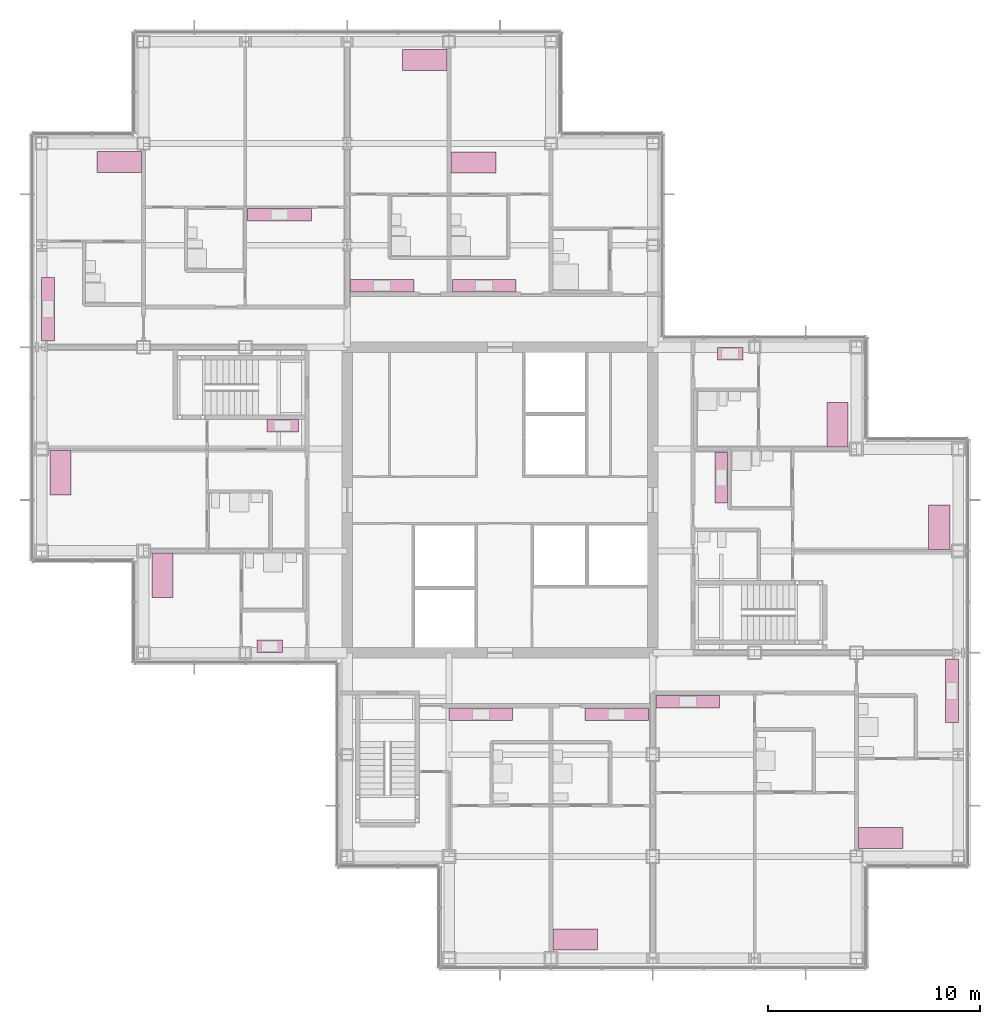
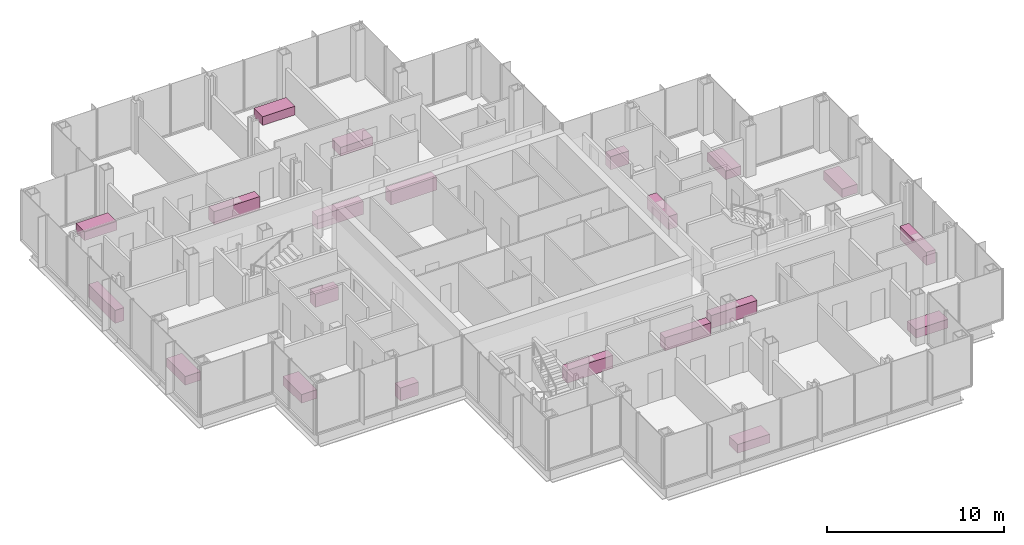
# One storey, part 20 of 20: 21 furniture elements.
"""IFC4 building model written with IfcOpenShell, lengths in metres."""

from ifc_helpers import new_model, si_unit, direction, frame, origin, origin_2d, place, context, subcontext, project, spatial, rectangle, extrude, material, type_object, element, save


model = new_model("IFC4")

# Units and contexts
model_context = context("Model", 3, precision=1e-05, world=origin(), true_north=direction((0.0, 1.0)))
body_context = subcontext(model_context, "Body", "Model", "MODEL_VIEW")
ifc_project = project(units=[si_unit("LENGTHUNIT", "METRE"), si_unit("AREAUNIT", "SQUARE_METRE"), si_unit("VOLUMEUNIT", "CUBIC_METRE"), si_unit("PLANEANGLEUNIT", "RADIAN"), si_unit("MASSUNIT", "GRAM", prefix="KILO")], contexts=[model_context])

# Site, building, storey
site_placement = place(None, origin())
site = spatial("IfcSite", under=ifc_project, at=site_placement, CompositionType="ELEMENT")
building_placement = place(site_placement, origin())
building = spatial("IfcBuilding", under=site, at=building_placement, Name="Kvirike Care Tower", CompositionType="ELEMENT")
storey_placement = place(building_placement, frame((0.0, 0.0, 101.5)))
storey = spatial("IfcBuildingStorey", under=building, at=storey_placement, Name="L27", CompositionType="ELEMENT", Elevation=101.5)

# Furniture
ifc_material_1 = material(Name="Steel frame", Category="steel")
furniture_type_1 = type_object("IfcFurnitureType", Name="CARE BED 1000 x 2100", AssemblyPlace="FACTORY", PredefinedType="BED", material=ifc_material_1)
for number, where, z_axis, x_axis, name in (
    (1, (0.89501953125, 37.2880859375, 0.0), (0.0, 0.0, 1.0), (1.0, 0.0, 0.0), "Care bed L27-004"),
    (2, (5.695068359375, 32.447998046875, 0.0), (0.0, 0.0, 1.0), (1.0, 0.0, 0.0), "Care bed L27-008"),
    (3, (3.64794921875, 51.929931640625, 0.0), (0.0, 0.0, 1.0), (0.0, -1.0, 0.0), "Care bed L27-017"),
    (4, (25.152099609375, 15.294921875, 0.0), (0.0, 0.0, 1.0), (0.0, 1.0, 0.0), "Care bed L27-026"),
    (5, (20.35205078125, 51.909912109375, 0.0), (0.0, 0.0, 1.0), (0.0, 1.0, 0.0), "Care bed L27-033"),
    (6, (18.048095703125, 56.72998046875, 0.0), (0.0, 0.0, 1.0), (0.0, -1.0, 0.0), "Care bed L27-036"),
    (7, (39.552001953125, 20.070068359375, 0.0), (0.0, 0.0, 1.0), (0.0, 1.0, 0.0), "Care bed L27-045"),
    (8, (42.304931640625, 34.7119140625, 0.0), (0.0, 0.0, 1.0), (-1.0, 0.0, 0.0), "Care bed L27-051"),
    (9, (37.5048828125, 39.552001953125, 0.0), (0.0, 0.0, 1.0), (-1.0, 0.0, 0.0), "Care bed L27-055"),
):
    element("IfcFurniture", number, at=place(storey_placement, frame(where, z_axis=z_axis, x_axis=x_axis)), inside=storey, type_object=furniture_type_1, Name=name, PredefinedType="BED", context=body_context, shape_type="SweptSolid", body=[
        extrude(rectangle(XDim=1.0, YDim=2.10009765625, at=origin_2d()), origin(), (0.0, 0.0, 1.0), 0.60009765625),
    ])
ifc_material_2 = material(Name="Laminated board", Category="wood")
furniture_type_2 = type_object("IfcFurnitureType", Name="KITCHEN UNIT RUN 600", AssemblyPlace="FACTORY", PredefinedType="USERDEFINED", material=ifc_material_2)
furniture_1_placement = place(storey_placement, frame((11.360107421875, 39.498046875, 0.0), z_axis=(0.0, 0.0, 1.0), x_axis=(1.0, 0.0, 0.0)))
element("IfcFurniture", 10, at=furniture_1_placement, inside=storey, type_object=furniture_type_2, Name="Kitchen unit run L27-006", ObjectType="KITCHEN UNIT", PredefinedType="USERDEFINED", context=body_context, shape_type="SweptSolid", body=[
    extrude(rectangle(XDim=1.5, YDim=0.60009765625, at=origin_2d()), origin(), (0.0, 0.0, 1.0), 0.89990234375),
])
furniture_2_placement = place(storey_placement, frame((10.75, 29.10205078125, 0.0), z_axis=(0.0, 0.0, 1.0), x_axis=(-1.0, 0.0, 0.0)))
element("IfcFurniture", 11, at=furniture_2_placement, inside=storey, type_object=furniture_type_2, Name="Kitchen unit run L27-010", ObjectType="KITCHEN UNIT", PredefinedType="USERDEFINED", context=body_context, shape_type="SweptSolid", body=[
    extrude(rectangle(XDim=1.199951171875, YDim=0.60009765625, at=origin_2d()), origin(), (0.0, 0.0, 1.0), 0.89990234375),
])
for number, where, z_axis, x_axis, name in (
    (12, (11.2099609375, 49.43798828125, 0.0), (0.0, 0.0, 1.0), (1.0, 0.0, 0.0), "Kitchen unit run L27-015"),
    (13, (0.302001953125, 44.9970703125, 0.0), (0.0, 0.0, 1.0), (0.0, 1.0, 0.0), "Kitchen unit run L27-019"),
    (14, (20.699951171875, 25.89794921875, 0.0), (0.0, 0.0, 1.0), (1.0, 0.0, 0.0), "Kitchen unit run L27-025"),
    (15, (27.10009765625, 25.89794921875, 0.0), (0.0, 0.0, 1.0), (1.0, 0.0, 0.0), "Kitchen unit run L27-028"),
    (16, (20.85009765625, 46.10205078125, 0.0), (0.0, 0.0, 1.0), (-1.0, 0.0, 0.0), "Kitchen unit run L27-035"),
    (17, (16.050048828125, 46.10205078125, 0.0), (0.0, 0.0, 1.0), (-1.0, 0.0, 0.0), "Kitchen unit run L27-038"),
    (18, (30.449951171875, 26.498046875, 0.0), (0.0, 0.0, 1.0), (1.0, 0.0, 0.0), "Kitchen unit run L27-043"),
    (19, (42.89794921875, 27.0029296875, 0.0), (0.0, 0.0, 1.0), (0.0, -1.0, 0.0), "Kitchen unit run L27-047"),
):
    element("IfcFurniture", number, at=place(storey_placement, frame(where, z_axis=z_axis, x_axis=x_axis)), inside=storey, type_object=furniture_type_2, Name=name, ObjectType="KITCHEN UNIT", PredefinedType="USERDEFINED", context=body_context, shape_type="SweptSolid", body=[
        extrude(rectangle(XDim=3.0, YDim=0.60009765625, at=origin_2d()), origin(), (0.0, 0.0, 1.0), 0.89990234375),
    ])
furniture_3_placement = place(storey_placement, frame((32.02294921875, 37.050048828125, 0.0), z_axis=(0.0, 0.0, 1.0), x_axis=(0.0, -1.0, 0.0)))
element("IfcFurniture", 20, at=furniture_3_placement, inside=storey, type_object=furniture_type_2, Name="Kitchen unit run L27-054", ObjectType="KITCHEN UNIT", PredefinedType="USERDEFINED", context=body_context, shape_type="SweptSolid", body=[
    extrude(rectangle(XDim=2.39990234375, YDim=0.60009765625, at=origin_2d()), origin(), (0.0, 0.0, 1.0), 0.89990234375),
])
furniture_4_placement = place(storey_placement, frame((32.449951171875, 42.89794921875, 0.0), z_axis=(0.0, 0.0, 1.0), x_axis=(1.0, 0.0, 0.0)))
element("IfcFurniture", 21, at=furniture_4_placement, inside=storey, type_object=furniture_type_2, Name="Kitchen unit run L27-057", ObjectType="KITCHEN UNIT", PredefinedType="USERDEFINED", context=body_context, shape_type="SweptSolid", body=[
    extrude(rectangle(XDim=1.199951171875, YDim=0.60009765625, at=origin_2d()), origin(), (0.0, 0.0, 1.0), 0.89990234375),
])

save(model, "model.ifc")
